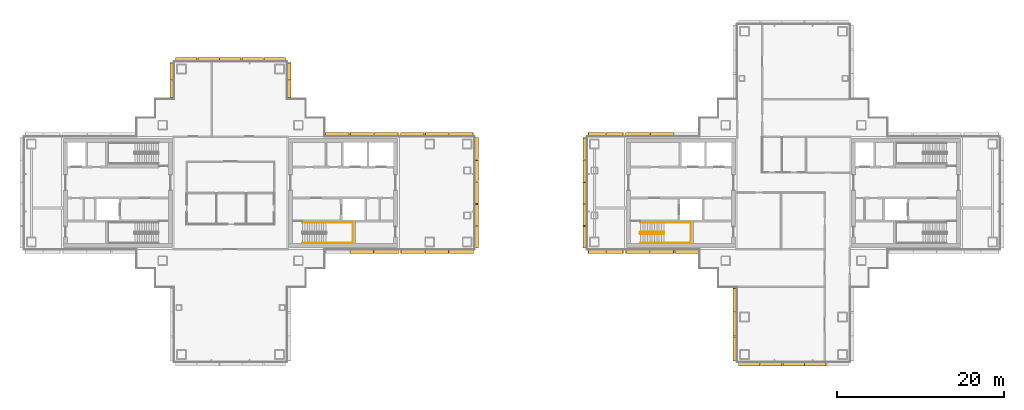
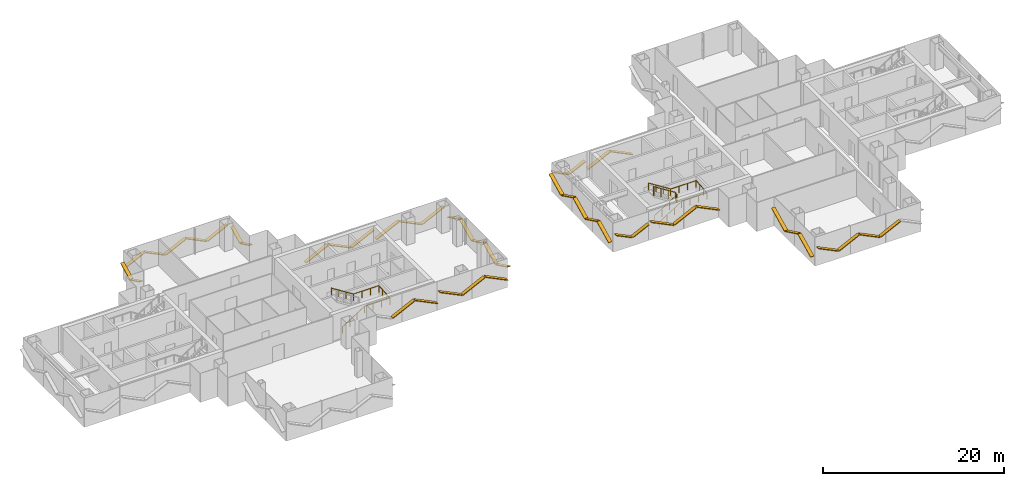
# One storey, part 15 of 16: 46 shading devices, 3 railings.
"""IFC4 building model written with IfcOpenShell, lengths in metres."""

from ifc_helpers import new_model, si_unit, direction, frame, origin, origin_2d, place, context, subcontext, project, spatial, rectangle, circle, extrude, material, material_profile, profile_set, type_object, element, save


model = new_model("IFC4")

# Units and contexts
model_context = context("Model", 3, precision=1e-05, world=origin(), true_north=direction((0.0, 1.0)))
body_context = subcontext(model_context, "Body", "Model", "MODEL_VIEW")
ifc_project = project(units=[si_unit("LENGTHUNIT", "METRE"), si_unit("AREAUNIT", "SQUARE_METRE"), si_unit("VOLUMEUNIT", "CUBIC_METRE"), si_unit("PLANEANGLEUNIT", "RADIAN"), si_unit("MASSUNIT", "GRAM", prefix="KILO")], contexts=[model_context])

# Site, building, storey
site_placement = place(None, origin())
site = spatial("IfcSite", under=ifc_project, at=site_placement, CompositionType="ELEMENT")
building_placement = place(site_placement, origin())
building = spatial("IfcBuilding", under=site, at=building_placement, Name="Shamsa Quay Exchange Towers", CompositionType="ELEMENT")
storey_placement = place(building_placement, frame((0.0, 0.0, 162.300048828125)))
storey = spatial("IfcBuildingStorey", under=building, at=storey_placement, Name="L38", CompositionType="ELEMENT", Elevation=162.300048828125)

# Shading devices
ifc_material_1 = material(Name="Aluminium EN AW-6063 T6, black anodised", Category="aluminium")
ifc_material_profile = material_profile(ifc_material_1, rectangle(XDim=0.449951171875, YDim=0.10009765625, at=origin_2d()), Name="FIN450x100")
ifc_profile_set = profile_set([ifc_material_profile], Name="Aluminium EN AW-6063 T6, black anodised")
shading_device_type = type_object("IfcShadingDeviceType", Name="FIN 450x100 BLACK ALUMINIUM", PredefinedType="USERDEFINED", material=ifc_profile_set)
shading_device_1_placement = place(storey_placement, frame((-19.374755859375, -7.01904296875, 0.920166015625), z_axis=(0.898776767917, 0.0, 0.43840657095), x_axis=(0.0, 1.0, 0.0)))
element("IfcShadingDevice", 1, at=shading_device_1_placement, inside=storey, type_object=shading_device_type, Name="FIN T1 chevron rib", ObjectType="FIN", PredefinedType="USERDEFINED", context=body_context, shape_type="SweptSolid", body=[
    extrude(rectangle(XDim=0.449951171875, YDim=0.10009765625, at=origin_2d()), origin(), (0.0, 0.0, 1.0), 3.101318359375),
])
shading_device_2_placement = place(storey_placement, frame((-16.4873046875, -7.01904296875, 2.2919921875), z_axis=(0.898776621123, 0.0, -0.438406871893), x_axis=(0.0, 1.0, 0.0)))
element("IfcShadingDevice", 2, at=shading_device_2_placement, inside=storey, type_object=shading_device_type, Name="FIN T1 chevron rib", ObjectType="FIN", PredefinedType="USERDEFINED", context=body_context, shape_type="SweptSolid", body=[
    extrude(rectangle(XDim=0.449951171875, YDim=0.10009765625, at=origin_2d()), origin(), (0.0, 0.0, 1.0), 3.156982421875),
])
shading_device_3_placement = place(storey_placement, frame((-13.35009765625, -7.014892578125, 2.294921875), z_axis=(0.898818017417, 0.0, -0.438321995302), x_axis=(0.0, 1.0, 0.0)))
element("IfcShadingDevice", 3, at=shading_device_3_placement, inside=storey, type_object=shading_device_type, Name="FIN T1 chevron rib", ObjectType="FIN", PredefinedType="USERDEFINED", context=body_context, shape_type="SweptSolid", body=[
    extrude(rectangle(XDim=0.449951171875, YDim=0.10009765625, at=origin_2d()), origin(), (0.0, 0.0, 1.0), 3.1708984375),
])
shading_device_4_placement = place(storey_placement, frame((-10.39990234375, -7.014892578125, 0.917236328125), z_axis=(0.898803845139, 0.0, 0.438351055621), x_axis=(0.0, 1.0, 0.0)))
element("IfcShadingDevice", 4, at=shading_device_4_placement, inside=storey, type_object=shading_device_type, Name="FIN T1 chevron rib", ObjectType="FIN", PredefinedType="USERDEFINED", context=body_context, shape_type="SweptSolid", body=[
    extrude(rectangle(XDim=0.449951171875, YDim=0.10009765625, at=origin_2d()), origin(), (0.0, 0.0, 1.0), 3.114990234375),
])
shading_device_5_placement = place(storey_placement, frame((-7.5, -7.014892578125, 2.294921875), z_axis=(0.898818017417, 0.0, -0.438321995302), x_axis=(0.0, 1.0, 0.0)))
element("IfcShadingDevice", 5, at=shading_device_5_placement, inside=storey, type_object=shading_device_type, Name="FIN T1 chevron rib", ObjectType="FIN", PredefinedType="USERDEFINED", context=body_context, shape_type="SweptSolid", body=[
    extrude(rectangle(XDim=0.449951171875, YDim=0.10009765625, at=origin_2d()), origin(), (0.0, 0.0, 1.0), 3.1708984375),
])
shading_device_6_placement = place(storey_placement, frame((-4.235107421875, -6.60009765625, 2.2314453125), z_axis=(0.0, 0.898805897141, -0.43834684813), x_axis=(-1.0, 0.0, 0.0)))
element("IfcShadingDevice", 6, at=shading_device_6_placement, inside=storey, type_object=shading_device_type, Name="FIN T1 chevron rib", ObjectType="FIN", PredefinedType="USERDEFINED", context=body_context, shape_type="SweptSolid", body=[
    extrude(rectangle(XDim=0.449951171875, YDim=0.10009765625, at=origin_2d()), origin(), (0.0, 0.0, 1.0), 2.881591796875),
])
shading_device_7_placement = place(storey_placement, frame((-4.235107421875, -3.909912109375, 0.98046875), z_axis=(0.0, 0.898755990607, 0.438449163927), x_axis=(-1.0, 0.0, 0.0)))
element("IfcShadingDevice", 7, at=shading_device_7_placement, inside=storey, type_object=shading_device_type, Name="FIN T1 chevron rib", ObjectType="FIN", PredefinedType="USERDEFINED", context=body_context, shape_type="SweptSolid", body=[
    extrude(rectangle(XDim=0.449951171875, YDim=0.10009765625, at=origin_2d()), origin(), (0.0, 0.0, 1.0), 2.825927734375),
])
shading_device_8_placement = place(storey_placement, frame((-4.235107421875, -1.27001953125, 2.219482421875), z_axis=(0.0, 0.898772596839, -0.438415121968), x_axis=(-1.0, 0.0, 0.0)))
element("IfcShadingDevice", 8, at=shading_device_8_placement, inside=storey, type_object=shading_device_type, Name="FIN T1 chevron rib", ObjectType="FIN", PredefinedType="USERDEFINED", context=body_context, shape_type="SweptSolid", body=[
    extrude(rectangle(XDim=0.449951171875, YDim=0.10009765625, at=origin_2d()), origin(), (0.0, 0.0, 1.0), 2.826171875),
])
shading_device_9_placement = place(storey_placement, frame((-4.235107421875, 1.3701171875, 0.98046875), z_axis=(0.0, 0.898755990607, 0.438449163927), x_axis=(-1.0, 0.0, 0.0)))
element("IfcShadingDevice", 9, at=shading_device_9_placement, inside=storey, type_object=shading_device_type, Name="FIN T1 chevron rib", ObjectType="FIN", PredefinedType="USERDEFINED", context=body_context, shape_type="SweptSolid", body=[
    extrude(rectangle(XDim=0.449951171875, YDim=0.10009765625, at=origin_2d()), origin(), (0.0, 0.0, 1.0), 2.825927734375),
])
shading_device_10_placement = place(storey_placement, frame((-4.235107421875, 4.010009765625, 2.2314453125), z_axis=(0.0, 0.898805897141, -0.43834684813), x_axis=(-1.0, 0.0, 0.0)))
element("IfcShadingDevice", 10, at=shading_device_10_placement, inside=storey, type_object=shading_device_type, Name="FIN T1 chevron rib", ObjectType="FIN", PredefinedType="USERDEFINED", context=body_context, shape_type="SweptSolid", body=[
    extrude(rectangle(XDim=0.449951171875, YDim=0.10009765625, at=origin_2d()), origin(), (0.0, 0.0, 1.0), 2.881591796875),
])
shading_device_11_placement = place(storey_placement, frame((-4.64990234375, 7.014892578125, 2.294921875), z_axis=(-0.898818017417, 0.0, -0.438321995302), x_axis=(0.0, -1.0, 0.0)))
element("IfcShadingDevice", 11, at=shading_device_11_placement, inside=storey, type_object=shading_device_type, Name="FIN T1 chevron rib", ObjectType="FIN", PredefinedType="USERDEFINED", context=body_context, shape_type="SweptSolid", body=[
    extrude(rectangle(XDim=0.449951171875, YDim=0.10009765625, at=origin_2d()), origin(), (0.0, 0.0, 1.0), 3.1708984375),
])
shading_device_12_placement = place(storey_placement, frame((-7.60009765625, 7.014892578125, 0.917236328125), z_axis=(-0.898803845139, 0.0, 0.438351055621), x_axis=(0.0, -1.0, 0.0)))
element("IfcShadingDevice", 12, at=shading_device_12_placement, inside=storey, type_object=shading_device_type, Name="FIN T1 chevron rib", ObjectType="FIN", PredefinedType="USERDEFINED", context=body_context, shape_type="SweptSolid", body=[
    extrude(rectangle(XDim=0.449951171875, YDim=0.10009765625, at=origin_2d()), origin(), (0.0, 0.0, 1.0), 3.114990234375),
])
for number, where, z_axis, x_axis, name in (
    (13, (-10.5, 7.014892578125, 2.294921875), (-0.898818017417, 0.0, -0.438321995302), (0.0, -1.0, 0.0), "FIN T1 chevron rib"),
    (14, (-13.64990234375, 7.01904296875, 2.294921875), (-0.898818017417, 0.0, -0.438321995302), (0.0, -1.0, 0.0), "FIN T1 chevron rib"),
):
    element("IfcShadingDevice", number, at=place(storey_placement, frame(where, z_axis=z_axis, x_axis=x_axis)), inside=storey, type_object=shading_device_type, Name=name, ObjectType="FIN", PredefinedType="USERDEFINED", context=body_context, shape_type="SweptSolid", body=[
        extrude(rectangle(XDim=0.449951171875, YDim=0.10009765625, at=origin_2d()), origin(), (0.0, 0.0, 1.0), 3.1708984375),
    ])
shading_device_13_placement = place(storey_placement, frame((-16.60009765625, 7.01904296875, 0.917236328125), z_axis=(-0.898803845139, 0.0, 0.438351055621), x_axis=(0.0, -1.0, 0.0)))
element("IfcShadingDevice", 15, at=shading_device_13_placement, inside=storey, type_object=shading_device_type, Name="FIN T1 chevron rib", ObjectType="FIN", PredefinedType="USERDEFINED", context=body_context, shape_type="SweptSolid", body=[
    extrude(rectangle(XDim=0.449951171875, YDim=0.10009765625, at=origin_2d()), origin(), (0.0, 0.0, 1.0), 3.114990234375),
])
shading_device_14_placement = place(storey_placement, frame((-19.5, 7.01904296875, 2.294921875), z_axis=(-0.898818017417, 0.0, -0.438321995302), x_axis=(0.0, -1.0, 0.0)))
element("IfcShadingDevice", 16, at=shading_device_14_placement, inside=storey, type_object=shading_device_type, Name="FIN T1 chevron rib", ObjectType="FIN", PredefinedType="USERDEFINED", context=body_context, shape_type="SweptSolid", body=[
    extrude(rectangle(XDim=0.449951171875, YDim=0.10009765625, at=origin_2d()), origin(), (0.0, 0.0, 1.0), 3.1708984375),
])
for number, where, z_axis, x_axis, name in (
    (17, (-26.735107421875, 11.43798828125, 2.09521484375), (0.0, 0.898813091309, -0.438332096579), (-1.0, 0.0, 0.0), "FIN T1 chevron rib"),
    (18, (-26.735107421875, 13.569091796875, 1.104736328125), (0.0, 0.898813091309, 0.438332096579), (-1.0, 0.0, 0.0), "FIN T1 chevron rib"),
):
    element("IfcShadingDevice", number, at=place(storey_placement, frame(where, z_axis=z_axis, x_axis=x_axis)), inside=storey, type_object=shading_device_type, Name=name, ObjectType="FIN", PredefinedType="USERDEFINED", context=body_context, shape_type="SweptSolid", body=[
        extrude(rectangle(XDim=0.449951171875, YDim=0.10009765625, at=origin_2d()), origin(), (0.0, 0.0, 1.0), 2.259765625),
    ])
shading_device_15_placement = place(storey_placement, frame((-27.14990234375, 16.014892578125, 2.2314453125), z_axis=(-0.898805897141, 0.0, -0.43834684813), x_axis=(0.0, -1.0, 0.0)))
element("IfcShadingDevice", 19, at=shading_device_15_placement, inside=storey, type_object=shading_device_type, Name="FIN T1 chevron rib", ObjectType="FIN", PredefinedType="USERDEFINED", context=body_context, shape_type="SweptSolid", body=[
    extrude(rectangle(XDim=0.449951171875, YDim=0.10009765625, at=origin_2d()), origin(), (0.0, 0.0, 1.0), 2.881591796875),
])
shading_device_16_placement = place(storey_placement, frame((-29.840087890625, 16.014892578125, 0.98046875), z_axis=(-0.898755990607, 0.0, 0.438449163927), x_axis=(0.0, -1.0, 0.0)))
element("IfcShadingDevice", 20, at=shading_device_16_placement, inside=storey, type_object=shading_device_type, Name="FIN T1 chevron rib", ObjectType="FIN", PredefinedType="USERDEFINED", context=body_context, shape_type="SweptSolid", body=[
    extrude(rectangle(XDim=0.449951171875, YDim=0.10009765625, at=origin_2d()), origin(), (0.0, 0.0, 1.0), 2.825927734375),
])
shading_device_17_placement = place(storey_placement, frame((-32.47998046875, 16.014892578125, 2.219482421875), z_axis=(-0.898772596839, 0.0, -0.438415121968), x_axis=(0.0, -1.0, 0.0)))
element("IfcShadingDevice", 21, at=shading_device_17_placement, inside=storey, type_object=shading_device_type, Name="FIN T1 chevron rib", ObjectType="FIN", PredefinedType="USERDEFINED", context=body_context, shape_type="SweptSolid", body=[
    extrude(rectangle(XDim=0.449951171875, YDim=0.10009765625, at=origin_2d()), origin(), (0.0, 0.0, 1.0), 2.826171875),
])
shading_device_18_placement = place(storey_placement, frame((-35.1201171875, 16.014892578125, 0.98046875), z_axis=(-0.898755990607, 0.0, 0.438449163927), x_axis=(0.0, -1.0, 0.0)))
element("IfcShadingDevice", 22, at=shading_device_18_placement, inside=storey, type_object=shading_device_type, Name="FIN T1 chevron rib", ObjectType="FIN", PredefinedType="USERDEFINED", context=body_context, shape_type="SweptSolid", body=[
    extrude(rectangle(XDim=0.449951171875, YDim=0.10009765625, at=origin_2d()), origin(), (0.0, 0.0, 1.0), 2.825927734375),
])
shading_device_19_placement = place(storey_placement, frame((-37.760009765625, 16.014892578125, 2.2314453125), z_axis=(-0.898805897141, 0.0, -0.43834684813), x_axis=(0.0, -1.0, 0.0)))
element("IfcShadingDevice", 23, at=shading_device_19_placement, inside=storey, type_object=shading_device_type, Name="FIN T1 chevron rib", ObjectType="FIN", PredefinedType="USERDEFINED", context=body_context, shape_type="SweptSolid", body=[
    extrude(rectangle(XDim=0.449951171875, YDim=0.10009765625, at=origin_2d()), origin(), (0.0, 0.0, 1.0), 2.881591796875),
])
for number, where, z_axis, x_axis, name in (
    (24, (-40.764892578125, 15.60009765625, 2.099853515625), (0.0, -0.898814733754, -0.43832872868), (1.0, 0.0, 0.0), "FIN T1 chevron rib"),
    (25, (-40.764892578125, 13.449951171875, 1.10009765625), (0.0, -0.898814733754, 0.43832872868), (1.0, 0.0, 0.0), "FIN T1 chevron rib"),
):
    element("IfcShadingDevice", number, at=place(storey_placement, frame(where, z_axis=z_axis, x_axis=x_axis)), inside=storey, type_object=shading_device_type, Name=name, ObjectType="FIN", PredefinedType="USERDEFINED", context=body_context, shape_type="SweptSolid", body=[
        extrude(rectangle(XDim=0.449951171875, YDim=0.10009765625, at=origin_2d()), origin(), (0.0, 0.0, 1.0), 2.28076171875),
    ])
shading_device_20_placement = place(storey_placement, frame((19.374755859375, 7.01904296875, 0.920166015625), z_axis=(-0.898776767917, 0.0, 0.43840657095), x_axis=(0.0, -1.0, 0.0)))
element("IfcShadingDevice", 26, at=shading_device_20_placement, inside=storey, type_object=shading_device_type, Name="FIN T2 chevron rib", ObjectType="FIN", PredefinedType="USERDEFINED", context=body_context, shape_type="SweptSolid", body=[
    extrude(rectangle(XDim=0.449951171875, YDim=0.10009765625, at=origin_2d()), origin(), (0.0, 0.0, 1.0), 3.101318359375),
])
shading_device_21_placement = place(storey_placement, frame((16.4873046875, 7.01904296875, 2.2919921875), z_axis=(-0.898776621123, 0.0, -0.438406871893), x_axis=(0.0, -1.0, 0.0)))
element("IfcShadingDevice", 27, at=shading_device_21_placement, inside=storey, type_object=shading_device_type, Name="FIN T2 chevron rib", ObjectType="FIN", PredefinedType="USERDEFINED", context=body_context, shape_type="SweptSolid", body=[
    extrude(rectangle(XDim=0.449951171875, YDim=0.10009765625, at=origin_2d()), origin(), (0.0, 0.0, 1.0), 3.156982421875),
])
for number, where, z_axis, x_axis, name in (
    (28, (13.35009765625, 7.014892578125, 2.099853515625), (-0.898814733754, 0.0, -0.43832872868), (0.0, -1.0, 0.0), "FIN T2 chevron rib"),
    (29, (11.199951171875, 7.014892578125, 1.10009765625), (-0.898814733754, 0.0, 0.43832872868), (0.0, -1.0, 0.0), "FIN T2 chevron rib"),
):
    element("IfcShadingDevice", number, at=place(storey_placement, frame(where, z_axis=z_axis, x_axis=x_axis)), inside=storey, type_object=shading_device_type, Name=name, ObjectType="FIN", PredefinedType="USERDEFINED", context=body_context, shape_type="SweptSolid", body=[
        extrude(rectangle(XDim=0.449951171875, YDim=0.10009765625, at=origin_2d()), origin(), (0.0, 0.0, 1.0), 2.28076171875),
    ])
shading_device_22_placement = place(storey_placement, frame((8.735107421875, 6.60009765625, 2.2314453125), z_axis=(0.0, -0.898805897141, -0.43834684813), x_axis=(1.0, 0.0, 0.0)))
element("IfcShadingDevice", 30, at=shading_device_22_placement, inside=storey, type_object=shading_device_type, Name="FIN T2 chevron rib", ObjectType="FIN", PredefinedType="USERDEFINED", context=body_context, shape_type="SweptSolid", body=[
    extrude(rectangle(XDim=0.449951171875, YDim=0.10009765625, at=origin_2d()), origin(), (0.0, 0.0, 1.0), 2.881591796875),
])
shading_device_23_placement = place(storey_placement, frame((8.735107421875, 3.909912109375, 0.98046875), z_axis=(0.0, -0.898755990607, 0.438449163927), x_axis=(1.0, 0.0, 0.0)))
element("IfcShadingDevice", 31, at=shading_device_23_placement, inside=storey, type_object=shading_device_type, Name="FIN T2 chevron rib", ObjectType="FIN", PredefinedType="USERDEFINED", context=body_context, shape_type="SweptSolid", body=[
    extrude(rectangle(XDim=0.449951171875, YDim=0.10009765625, at=origin_2d()), origin(), (0.0, 0.0, 1.0), 2.825927734375),
])
shading_device_24_placement = place(storey_placement, frame((8.735107421875, 1.27001953125, 2.219482421875), z_axis=(0.0, -0.898772596839, -0.438415121968), x_axis=(1.0, 0.0, 0.0)))
element("IfcShadingDevice", 32, at=shading_device_24_placement, inside=storey, type_object=shading_device_type, Name="FIN T2 chevron rib", ObjectType="FIN", PredefinedType="USERDEFINED", context=body_context, shape_type="SweptSolid", body=[
    extrude(rectangle(XDim=0.449951171875, YDim=0.10009765625, at=origin_2d()), origin(), (0.0, 0.0, 1.0), 2.826171875),
])
shading_device_25_placement = place(storey_placement, frame((8.735107421875, -1.3701171875, 0.98046875), z_axis=(0.0, -0.898755990607, 0.438449163927), x_axis=(1.0, 0.0, 0.0)))
element("IfcShadingDevice", 33, at=shading_device_25_placement, inside=storey, type_object=shading_device_type, Name="FIN T2 chevron rib", ObjectType="FIN", PredefinedType="USERDEFINED", context=body_context, shape_type="SweptSolid", body=[
    extrude(rectangle(XDim=0.449951171875, YDim=0.10009765625, at=origin_2d()), origin(), (0.0, 0.0, 1.0), 2.825927734375),
])
shading_device_26_placement = place(storey_placement, frame((8.735107421875, -4.010009765625, 2.2314453125), z_axis=(0.0, -0.898805897141, -0.43834684813), x_axis=(1.0, 0.0, 0.0)))
element("IfcShadingDevice", 34, at=shading_device_26_placement, inside=storey, type_object=shading_device_type, Name="FIN T2 chevron rib", ObjectType="FIN", PredefinedType="USERDEFINED", context=body_context, shape_type="SweptSolid", body=[
    extrude(rectangle(XDim=0.449951171875, YDim=0.10009765625, at=origin_2d()), origin(), (0.0, 0.0, 1.0), 2.881591796875),
])
for number, where, z_axis, x_axis, name in (
    (35, (9.14990234375, -7.014892578125, 2.099853515625), (0.898814733754, 0.0, -0.43832872868), (0.0, 1.0, 0.0), "FIN T2 chevron rib"),
    (36, (11.300048828125, -7.014892578125, 1.10009765625), (0.898814733754, 0.0, 0.43832872868), (0.0, 1.0, 0.0), "FIN T2 chevron rib"),
):
    element("IfcShadingDevice", number, at=place(storey_placement, frame(where, z_axis=z_axis, x_axis=x_axis)), inside=storey, type_object=shading_device_type, Name=name, ObjectType="FIN", PredefinedType="USERDEFINED", context=body_context, shape_type="SweptSolid", body=[
        extrude(rectangle(XDim=0.449951171875, YDim=0.10009765625, at=origin_2d()), origin(), (0.0, 0.0, 1.0), 2.28076171875),
    ])
shading_device_27_placement = place(storey_placement, frame((13.64990234375, -7.01904296875, 2.294921875), z_axis=(0.898818017417, 0.0, -0.438321995302), x_axis=(0.0, 1.0, 0.0)))
element("IfcShadingDevice", 37, at=shading_device_27_placement, inside=storey, type_object=shading_device_type, Name="FIN T2 chevron rib", ObjectType="FIN", PredefinedType="USERDEFINED", context=body_context, shape_type="SweptSolid", body=[
    extrude(rectangle(XDim=0.449951171875, YDim=0.10009765625, at=origin_2d()), origin(), (0.0, 0.0, 1.0), 3.1708984375),
])
shading_device_28_placement = place(storey_placement, frame((16.60009765625, -7.01904296875, 0.917236328125), z_axis=(0.898803845139, 0.0, 0.438351055621), x_axis=(0.0, 1.0, 0.0)))
element("IfcShadingDevice", 38, at=shading_device_28_placement, inside=storey, type_object=shading_device_type, Name="FIN T2 chevron rib", ObjectType="FIN", PredefinedType="USERDEFINED", context=body_context, shape_type="SweptSolid", body=[
    extrude(rectangle(XDim=0.449951171875, YDim=0.10009765625, at=origin_2d()), origin(), (0.0, 0.0, 1.0), 3.114990234375),
])
shading_device_29_placement = place(storey_placement, frame((19.5, -7.01904296875, 2.294921875), z_axis=(0.898818017417, 0.0, -0.438321995302), x_axis=(0.0, 1.0, 0.0)))
element("IfcShadingDevice", 39, at=shading_device_29_placement, inside=storey, type_object=shading_device_type, Name="FIN T2 chevron rib", ObjectType="FIN", PredefinedType="USERDEFINED", context=body_context, shape_type="SweptSolid", body=[
    extrude(rectangle(XDim=0.449951171875, YDim=0.10009765625, at=origin_2d()), origin(), (0.0, 0.0, 1.0), 3.1708984375),
])
shading_device_30_placement = place(storey_placement, frame((26.735107421875, -11.43798828125, 2.2919921875), z_axis=(0.0, -0.898776621123, -0.438406871893), x_axis=(1.0, 0.0, 0.0)))
element("IfcShadingDevice", 40, at=shading_device_30_placement, inside=storey, type_object=shading_device_type, Name="FIN T2 chevron rib", ObjectType="FIN", PredefinedType="USERDEFINED", context=body_context, shape_type="SweptSolid", body=[
    extrude(rectangle(XDim=0.449951171875, YDim=0.10009765625, at=origin_2d()), origin(), (0.0, 0.0, 1.0), 3.156982421875),
])
shading_device_31_placement = place(storey_placement, frame((26.735107421875, -14.375244140625, 0.920166015625), z_axis=(0.0, -0.898776767917, 0.43840657095), x_axis=(1.0, 0.0, 0.0)))
element("IfcShadingDevice", 41, at=shading_device_31_placement, inside=storey, type_object=shading_device_type, Name="FIN T2 chevron rib", ObjectType="FIN", PredefinedType="USERDEFINED", context=body_context, shape_type="SweptSolid", body=[
    extrude(rectangle(XDim=0.449951171875, YDim=0.10009765625, at=origin_2d()), origin(), (0.0, 0.0, 1.0), 3.101318359375),
])
shading_device_32_placement = place(storey_placement, frame((26.735107421875, -17.2626953125, 2.2919921875), z_axis=(0.0, -0.898776621123, -0.438406871893), x_axis=(1.0, 0.0, 0.0)))
element("IfcShadingDevice", 42, at=shading_device_32_placement, inside=storey, type_object=shading_device_type, Name="FIN T2 chevron rib", ObjectType="FIN", PredefinedType="USERDEFINED", context=body_context, shape_type="SweptSolid", body=[
    extrude(rectangle(XDim=0.449951171875, YDim=0.10009765625, at=origin_2d()), origin(), (0.0, 0.0, 1.0), 3.156982421875),
])
shading_device_33_placement = place(storey_placement, frame((27.14990234375, -20.514892578125, 2.2314453125), z_axis=(0.898805897141, 0.0, -0.43834684813), x_axis=(0.0, 1.0, 0.0)))
element("IfcShadingDevice", 43, at=shading_device_33_placement, inside=storey, type_object=shading_device_type, Name="FIN T2 chevron rib", ObjectType="FIN", PredefinedType="USERDEFINED", context=body_context, shape_type="SweptSolid", body=[
    extrude(rectangle(XDim=0.449951171875, YDim=0.10009765625, at=origin_2d()), origin(), (0.0, 0.0, 1.0), 2.881591796875),
])
shading_device_34_placement = place(storey_placement, frame((29.840087890625, -20.514892578125, 0.98046875), z_axis=(0.898755990607, 0.0, 0.438449163927), x_axis=(0.0, 1.0, 0.0)))
element("IfcShadingDevice", 44, at=shading_device_34_placement, inside=storey, type_object=shading_device_type, Name="FIN T2 chevron rib", ObjectType="FIN", PredefinedType="USERDEFINED", context=body_context, shape_type="SweptSolid", body=[
    extrude(rectangle(XDim=0.449951171875, YDim=0.10009765625, at=origin_2d()), origin(), (0.0, 0.0, 1.0), 2.825927734375),
])
shading_device_35_placement = place(storey_placement, frame((32.47998046875, -20.514892578125, 2.219482421875), z_axis=(0.898772596839, 0.0, -0.438415121968), x_axis=(0.0, 1.0, 0.0)))
element("IfcShadingDevice", 45, at=shading_device_35_placement, inside=storey, type_object=shading_device_type, Name="FIN T2 chevron rib", ObjectType="FIN", PredefinedType="USERDEFINED", context=body_context, shape_type="SweptSolid", body=[
    extrude(rectangle(XDim=0.449951171875, YDim=0.10009765625, at=origin_2d()), origin(), (0.0, 0.0, 1.0), 2.826171875),
])
shading_device_36_placement = place(storey_placement, frame((35.1201171875, -20.514892578125, 0.98046875), z_axis=(0.898755990607, 0.0, 0.438449163927), x_axis=(0.0, 1.0, 0.0)))
element("IfcShadingDevice", 46, at=shading_device_36_placement, inside=storey, type_object=shading_device_type, Name="FIN T2 chevron rib", ObjectType="FIN", PredefinedType="USERDEFINED", context=body_context, shape_type="SweptSolid", body=[
    extrude(rectangle(XDim=0.449951171875, YDim=0.10009765625, at=origin_2d()), origin(), (0.0, 0.0, 1.0), 2.825927734375),
])

# Railings
ifc_material_2 = material(Name="Stainless steel", Category="steel")
railing_type_1 = type_object("IfcRailingType", Name="STAIR GUARD 1100", PredefinedType="GUARDRAIL", material=ifc_material_2)
railing_1_placement = place(storey_placement, frame((15.39990234375, -4.89990234375, 0.17724609375)))
element("IfcRailing", 47, at=railing_1_placement, inside=storey, type_object=railing_type_1, Name="L38 ST4 stair guard 1", PredefinedType="GUARDRAIL", context=body_context, shape_type="SweptSolid", body=[
    extrude(circle(Radius=0.02392578125, at=origin_2d()), frame((0.0, 0.0, 1.076171875), z_axis=(0.844908973607, 0.0, 0.534910110503), x_axis=(0.0, 1.0, 0.0)), (0.0, 0.0, 1.0), 3.31396484375),
    extrude(circle(Radius=0.02392578125, at=origin_2d()), frame((2.800048828125, 0.0, 2.8486328125), z_axis=(0.708833529934, 0.705375805398, 0.0), x_axis=(-0.705375805398, 0.708833529934, 0.0)), (0.0, 0.0, 1.0), 0.070556640625),
    extrude(circle(Radius=0.02392578125, at=origin_2d()), frame((2.85009765625, 0.0498046875, 2.8486328125), z_axis=(0.0, 1.0, 0.0), x_axis=(-1.0, 0.0, 0.0)), (0.0, 0.0, 1.0), 0.150146484375),
    extrude(circle(Radius=0.02392578125, at=origin_2d()), frame((2.85009765625, 0.199951171875, 2.8486328125), z_axis=(-0.262233686654, 0.262233686654, 0.928691007369), x_axis=(-0.707106781187, -0.707106781187, 0.0)), (0.0, 0.0, 1.0), 0.19091796875),
    extrude(circle(Radius=0.02392578125, at=origin_2d()), frame((2.800048828125, 0.25, 3.02587890625), z_axis=(-0.844908973607, 0.0, 0.534910110503), x_axis=(0.0, -1.0, 0.0)), (0.0, 0.0, 1.0), 3.31396484375),
    extrude(circle(Radius=0.02392578125, at=origin_2d()), frame((0.0, 0.25, 4.798828125), z_axis=(-0.24142163986, -0.970420317083, 0.0), x_axis=(0.970420317083, -0.24142163986, 0.0)), (0.0, 0.0, 1.0), 0.206298828125),
    extrude(circle(Radius=0.02392578125, at=origin_2d()), frame((-0.0498046875, 0.0498046875, 4.798828125), z_axis=(0.0, 1.0, 0.0), x_axis=(-1.0, 0.0, 0.0)), (0.0, 0.0, 1.0), 0.150146484375),
    extrude(circle(Radius=0.02099609375, at=origin_2d()), origin(), (0.0, 0.0, 1.0), 1.052001953125),
    extrude(circle(Radius=0.02099609375, at=origin_2d()), frame((0.933349609375, 0.0, 0.5908203125)), (0.0, 0.0, 1.0), 1.052001953125),
    extrude(circle(Radius=0.02099609375, at=origin_2d()), frame((1.86669921875, 0.0, 1.181884765625)), (0.0, 0.0, 1.0), 1.052001953125),
    extrude(circle(Radius=0.02099609375, at=origin_2d()), frame((2.800048828125, 0.0, 1.772705078125)), (0.0, 0.0, 1.0), 1.052001953125),
    extrude(circle(Radius=0.02099609375, at=origin_2d()), frame((2.85009765625, 0.0498046875, 1.772705078125)), (0.0, 0.0, 1.0), 1.052001953125),
    extrude(circle(Radius=0.02099609375, at=origin_2d()), frame((2.85009765625, 0.199951171875, 1.772705078125)), (0.0, 0.0, 1.0), 1.052001953125),
    extrude(circle(Radius=0.02099609375, at=origin_2d()), frame((2.800048828125, 0.25, 1.949951171875)), (0.0, 0.0, 1.0), 1.052001953125),
    extrude(circle(Radius=0.02099609375, at=origin_2d()), frame((1.86669921875, 0.25, 2.540771484375)), (0.0, 0.0, 1.0), 1.052001953125),
    extrude(circle(Radius=0.02099609375, at=origin_2d()), frame((0.933349609375, 0.25, 3.1318359375)), (0.0, 0.0, 1.0), 1.052001953125),
    extrude(circle(Radius=0.02099609375, at=origin_2d()), frame((0.0, 0.25, 3.72265625)), (0.0, 0.0, 1.0), 1.052001953125),
    extrude(circle(Radius=0.02099609375, at=origin_2d()), frame((-0.0498046875, 0.0498046875, 3.72265625)), (0.0, 0.0, 1.0), 1.052001953125),
    extrude(circle(Radius=0.02099609375, at=origin_2d()), frame((-0.0498046875, 0.199951171875, 3.72265625)), (0.0, 0.0, 1.0), 1.052001953125),
])
railing_type_2 = type_object("IfcRailingType", Name="STAIR HANDRAIL 900", PredefinedType="HANDRAIL", material=ifc_material_2)
railing_2_placement = place(storey_placement, frame((-25.10009765625, -6.0, 0.17724609375)))
element("IfcRailing", 48, at=railing_2_placement, inside=storey, type_object=railing_type_2, Name="L38 ST1 stair handrail 1", PredefinedType="HANDRAIL", context=body_context, shape_type="SweptSolid", body=[
    extrude(circle(Radius=0.02392578125, at=origin_2d()), frame((0.0, 0.0, 0.8759765625), z_axis=(0.844908973607, 0.0, 0.534910110503), x_axis=(0.0, 1.0, 0.0)), (0.0, 0.0, 1.0), 3.31396484375),
    extrude(circle(Radius=0.02392578125, at=origin_2d()), frame((2.800048828125, 0.0, 2.6484375), z_axis=(1.0, 0.0, 0.0), x_axis=(0.0, 1.0, 0.0)), (0.0, 0.0, 1.0), 3.25),
    extrude(circle(Radius=0.02392578125, at=origin_2d()), frame((6.050048828125, 0.0, 2.6484375), z_axis=(0.0, 0.997393199914, 0.07215819264), x_axis=(-1.0, 0.0, 0.0)), (0.0, 0.0, 1.0), 2.456298828125),
    extrude(circle(Radius=0.02392578125, at=origin_2d()), frame((6.050048828125, 2.449951171875, 2.82568359375), z_axis=(-1.0, 0.0, 0.0), x_axis=(0.0, -1.0, 0.0)), (0.0, 0.0, 1.0), 3.25),
    extrude(circle(Radius=0.02392578125, at=origin_2d()), frame((2.800048828125, 2.449951171875, 2.82568359375), z_axis=(-0.844908973607, 0.0, 0.534910110503), x_axis=(0.0, -1.0, 0.0)), (0.0, 0.0, 1.0), 3.31396484375),
    extrude(circle(Radius=0.02099609375, at=origin_2d()), origin(), (0.0, 0.0, 1.0), 0.851806640625),
    extrude(circle(Radius=0.02099609375, at=origin_2d()), frame((0.933349609375, 0.0, 0.5908203125)), (0.0, 0.0, 1.0), 0.851806640625),
    extrude(circle(Radius=0.02099609375, at=origin_2d()), frame((1.86669921875, 0.0, 1.181884765625)), (0.0, 0.0, 1.0), 0.851806640625),
    extrude(circle(Radius=0.02099609375, at=origin_2d()), frame((2.800048828125, 0.0, 1.772705078125)), (0.0, 0.0, 1.0), 0.851806640625),
    extrude(circle(Radius=0.02099609375, at=origin_2d()), frame((3.88330078125, 0.0, 1.772705078125)), (0.0, 0.0, 1.0), 0.851806640625),
    extrude(circle(Radius=0.02099609375, at=origin_2d()), frame((4.966796875, 0.0, 1.772705078125)), (0.0, 0.0, 1.0), 0.851806640625),
    extrude(circle(Radius=0.02099609375, at=origin_2d()), frame((6.050048828125, 0.0, 1.772705078125)), (0.0, 0.0, 1.0), 0.851806640625),
    extrude(circle(Radius=0.02099609375, at=origin_2d()), frame((6.050048828125, 0.816650390625, 1.831787109375)), (0.0, 0.0, 1.0), 0.851806640625),
    extrude(circle(Radius=0.02099609375, at=origin_2d()), frame((6.050048828125, 1.63330078125, 1.890869140625)), (0.0, 0.0, 1.0), 0.851806640625),
    extrude(circle(Radius=0.02099609375, at=origin_2d()), frame((6.050048828125, 2.449951171875, 1.949951171875)), (0.0, 0.0, 1.0), 0.851806640625),
    extrude(circle(Radius=0.02099609375, at=origin_2d()), frame((4.966796875, 2.449951171875, 1.949951171875)), (0.0, 0.0, 1.0), 0.851806640625),
    extrude(circle(Radius=0.02099609375, at=origin_2d()), frame((3.88330078125, 2.449951171875, 1.949951171875)), (0.0, 0.0, 1.0), 0.851806640625),
    extrude(circle(Radius=0.02099609375, at=origin_2d()), frame((2.800048828125, 2.449951171875, 1.949951171875)), (0.0, 0.0, 1.0), 0.851806640625),
    extrude(circle(Radius=0.02099609375, at=origin_2d()), frame((1.86669921875, 2.449951171875, 2.540771484375)), (0.0, 0.0, 1.0), 0.851806640625),
    extrude(circle(Radius=0.02099609375, at=origin_2d()), frame((0.933349609375, 2.449951171875, 3.1318359375)), (0.0, 0.0, 1.0), 0.851806640625),
    extrude(circle(Radius=0.02099609375, at=origin_2d()), frame((0.0, 2.449951171875, 3.72265625)), (0.0, 0.0, 1.0), 0.851806640625),
])
railing_3_placement = place(storey_placement, frame((15.39990234375, -6.0, 0.17724609375)))
element("IfcRailing", 49, at=railing_3_placement, inside=storey, type_object=railing_type_2, Name="L38 ST4 stair handrail 1", PredefinedType="HANDRAIL", context=body_context, shape_type="SweptSolid", body=[
    extrude(circle(Radius=0.02392578125, at=origin_2d()), frame((0.0, 0.0, 0.8759765625), z_axis=(0.844908973607, 0.0, 0.534910110503), x_axis=(0.0, 1.0, 0.0)), (0.0, 0.0, 1.0), 3.31396484375),
    extrude(circle(Radius=0.02392578125, at=origin_2d()), frame((2.800048828125, 0.0, 2.6484375), z_axis=(1.0, 0.0, 0.0), x_axis=(0.0, 1.0, 0.0)), (0.0, 0.0, 1.0), 3.25),
    extrude(circle(Radius=0.02392578125, at=origin_2d()), frame((6.050048828125, 0.0, 2.6484375), z_axis=(0.0, 0.997393199914, 0.07215819264), x_axis=(-1.0, 0.0, 0.0)), (0.0, 0.0, 1.0), 2.456298828125),
    extrude(circle(Radius=0.02392578125, at=origin_2d()), frame((6.050048828125, 2.449951171875, 2.82568359375), z_axis=(-1.0, 0.0, 0.0), x_axis=(0.0, -1.0, 0.0)), (0.0, 0.0, 1.0), 3.25),
    extrude(circle(Radius=0.02392578125, at=origin_2d()), frame((2.800048828125, 2.449951171875, 2.82568359375), z_axis=(-0.844908973607, 0.0, 0.534910110503), x_axis=(0.0, -1.0, 0.0)), (0.0, 0.0, 1.0), 3.31396484375),
    extrude(circle(Radius=0.02099609375, at=origin_2d()), origin(), (0.0, 0.0, 1.0), 0.851806640625),
    extrude(circle(Radius=0.02099609375, at=origin_2d()), frame((0.933349609375, 0.0, 0.5908203125)), (0.0, 0.0, 1.0), 0.851806640625),
    extrude(circle(Radius=0.02099609375, at=origin_2d()), frame((1.86669921875, 0.0, 1.181884765625)), (0.0, 0.0, 1.0), 0.851806640625),
    extrude(circle(Radius=0.02099609375, at=origin_2d()), frame((2.800048828125, 0.0, 1.772705078125)), (0.0, 0.0, 1.0), 0.851806640625),
    extrude(circle(Radius=0.02099609375, at=origin_2d()), frame((3.88330078125, 0.0, 1.772705078125)), (0.0, 0.0, 1.0), 0.851806640625),
    extrude(circle(Radius=0.02099609375, at=origin_2d()), frame((4.966796875, 0.0, 1.772705078125)), (0.0, 0.0, 1.0), 0.851806640625),
    extrude(circle(Radius=0.02099609375, at=origin_2d()), frame((6.050048828125, 0.0, 1.772705078125)), (0.0, 0.0, 1.0), 0.851806640625),
    extrude(circle(Radius=0.02099609375, at=origin_2d()), frame((6.050048828125, 0.816650390625, 1.831787109375)), (0.0, 0.0, 1.0), 0.851806640625),
    extrude(circle(Radius=0.02099609375, at=origin_2d()), frame((6.050048828125, 1.63330078125, 1.890869140625)), (0.0, 0.0, 1.0), 0.851806640625),
    extrude(circle(Radius=0.02099609375, at=origin_2d()), frame((6.050048828125, 2.449951171875, 1.949951171875)), (0.0, 0.0, 1.0), 0.851806640625),
    extrude(circle(Radius=0.02099609375, at=origin_2d()), frame((4.966796875, 2.449951171875, 1.949951171875)), (0.0, 0.0, 1.0), 0.851806640625),
    extrude(circle(Radius=0.02099609375, at=origin_2d()), frame((3.88330078125, 2.449951171875, 1.949951171875)), (0.0, 0.0, 1.0), 0.851806640625),
    extrude(circle(Radius=0.02099609375, at=origin_2d()), frame((2.800048828125, 2.449951171875, 1.949951171875)), (0.0, 0.0, 1.0), 0.851806640625),
    extrude(circle(Radius=0.02099609375, at=origin_2d()), frame((1.86669921875, 2.449951171875, 2.540771484375)), (0.0, 0.0, 1.0), 0.851806640625),
    extrude(circle(Radius=0.02099609375, at=origin_2d()), frame((0.933349609375, 2.449951171875, 3.1318359375)), (0.0, 0.0, 1.0), 0.851806640625),
    extrude(circle(Radius=0.02099609375, at=origin_2d()), frame((0.0, 2.449951171875, 3.72265625)), (0.0, 0.0, 1.0), 0.851806640625),
])

save(model, "model.ifc")
